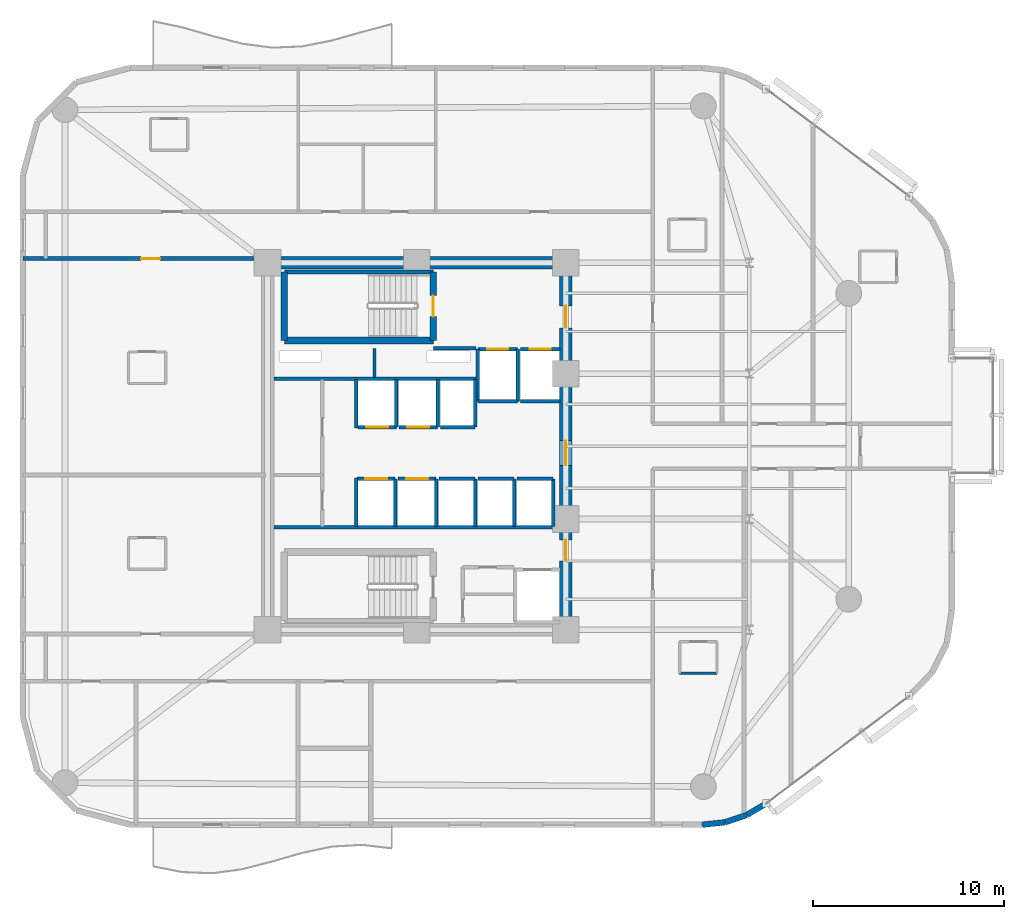
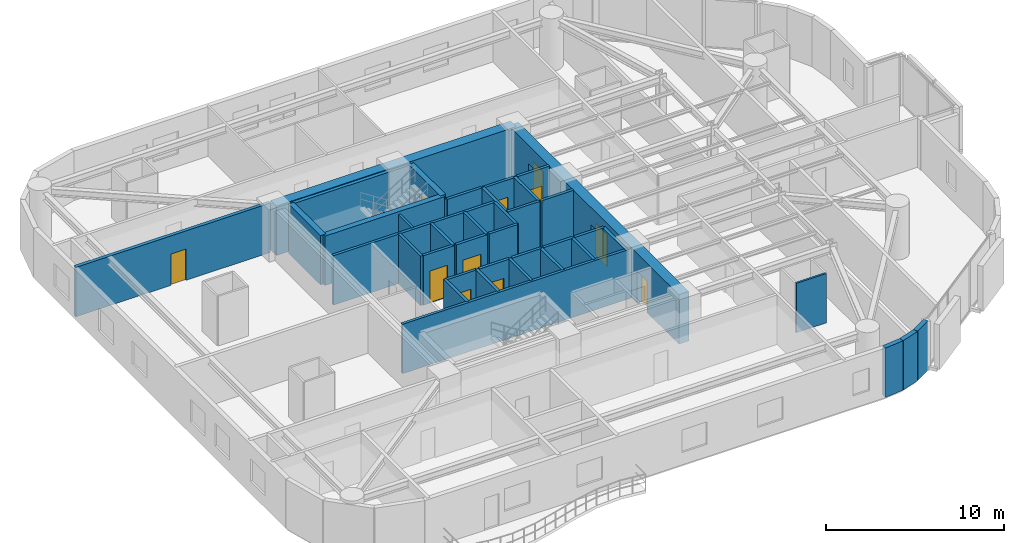
# One storey, part 9 of 14: 39 walls, 11 doors, 11 openings.
"""IFC4 building model written with IfcOpenShell, lengths in metres."""

from ifc_helpers import new_model, si_unit, direction, frame, frame_2d, origin, place, context, subcontext, project, spatial, rectangle, extrude, material, layer, layer_set, type_object, element, fill, save


model = new_model("IFC4")

# Units and contexts
model_context = context("Model", 3, precision=1e-05, world=origin(), true_north=direction((0.0, 1.0)))
body_context = subcontext(model_context, "Body", "Model", "MODEL_VIEW")
ifc_project = project(units=[si_unit("LENGTHUNIT", "METRE"), si_unit("AREAUNIT", "SQUARE_METRE"), si_unit("VOLUMEUNIT", "CUBIC_METRE"), si_unit("PLANEANGLEUNIT", "RADIAN"), si_unit("MASSUNIT", "GRAM", prefix="KILO")], contexts=[model_context])

# Site, building, storey
site_placement = place(None, origin())
site = spatial("IfcSite", under=ifc_project, at=site_placement, CompositionType="ELEMENT")
building_placement = place(site_placement, origin())
building = spatial("IfcBuilding", under=site, at=building_placement, Name="An Khanh Terracotta Commons", CompositionType="ELEMENT")
storey_placement = place(building_placement, frame((0.0, 0.0, 93.5)))
storey = spatial("IfcBuildingStorey", under=building, at=storey_placement, Name="L24", CompositionType="ELEMENT", Elevation=93.5)

# Wall
ifc_material_1 = material(Name="Concrete C60/75", Category="concrete")
ifc_layer_1 = layer(ifc_material_1, 0.64990234375, Name="Concrete C60/75")
ifc_layer_set_1 = layer_set([ifc_layer_1], Name="Concrete C60/75")
wall_type_1 = type_object("IfcWallType", Name="WALL-CORE-650", PredefinedType="SHEAR", material=ifc_layer_set_1)
wall_1_placement = place(storey_placement, frame((21.60009765625, 33.60009765625, 0.0), z_axis=(0.0, 0.0, 1.0), x_axis=(1.0, 0.0, 0.0)))
element("IfcWall", 1, at=wall_1_placement, inside=storey, type_object=wall_type_1, Name="L24 Core Wall CWALL-L24-N", PredefinedType="SHEAR", context=body_context, shape_type="SweptSolid", body=[
    extrude(rectangle(XDim=15.599853515625, YDim=0.64990234375, at=frame_2d((7.7998046875, 0.0))), origin(), (0.0, 0.0, 1.0), 3.39990234375),
])

# Wall, openings, doors
wall_2_placement = place(storey_placement, frame((37.199951171875, 14.39990234375, 0.0), z_axis=(0.0, 0.0, 1.0), x_axis=(0.0, 1.0, 0.0)))
wall_2 = element("IfcWall", 2, at=wall_2_placement, inside=storey, type_object=wall_type_1, Name="L24 Core Wall CWALL-L24-E", PredefinedType="SHEAR", context=body_context, shape_type="SweptSolid", body=[
    extrude(rectangle(XDim=19.2001953125, YDim=0.64990234375, at=frame_2d((9.60009765625, 0.0))), origin(), (0.0, 0.0, 1.0), 3.39990234375),
])
opening_1_placement = place(wall_2_placement, frame((15.800048828125, 0.0, 0.0)))
opening_1 = element("IfcOpeningElement", 3, at=opening_1_placement, cuts=wall_2, Name="Opening D-FFL", PredefinedType="OPENING", context=body_context, shape_type="SweptSolid", body=[
    extrude(rectangle(XDim=1.14990234375, YDim=2.14990234375, at=frame_2d((0.574951171875, 1.074951171875))), frame((0.0, 0.3349609375, 0.0), z_axis=(0.0, -1.0, 0.0), x_axis=(1.0, 0.0, 0.0)), (0.0, 0.0, 1.0), 0.669921875),
])
opening_2_placement = place(wall_2_placement, frame((3.60009765625, 0.0, 0.0)))
opening_2 = element("IfcOpeningElement", 4, at=opening_2_placement, cuts=wall_2, Name="Opening D-ST", PredefinedType="OPENING", context=body_context, shape_type="SweptSolid", body=[
    extrude(rectangle(XDim=1.10009765625, YDim=2.14990234375, at=frame_2d((0.550048828125, 1.074951171875))), frame((0.0, 0.3349609375, 0.0), z_axis=(0.0, -1.0, 0.0), x_axis=(1.0, 0.0, 0.0)), (0.0, 0.0, 1.0), 0.669921875),
])
opening_3_placement = place(wall_2_placement, frame((8.60009765625, 0.0, 0.0)))
opening_3 = element("IfcOpeningElement", 5, at=opening_3_placement, cuts=wall_2, Name="Opening D-COR", PredefinedType="OPENING", context=body_context, shape_type="SweptSolid", body=[
    extrude(rectangle(XDim=1.300048828125, YDim=2.199951171875, at=frame_2d((0.64990234375, 1.10009765625))), frame((0.0, 0.3349609375, 0.0), z_axis=(0.0, -1.0, 0.0), x_axis=(1.0, 0.0, 0.0)), (0.0, 0.0, 1.0), 0.669921875),
])
ifc_material_2 = material(Name="Fire-Rated Glazed Steel Double Door", Category="steel")
door_type_1 = type_object("IfcDoorType", Name="DOOR-CORR-1300", OperationType="NOTDEFINED", PredefinedType="DOOR", material=ifc_material_2)
door_1_placement = place(opening_3_placement, origin())
door_1 = element("IfcDoor", 6, at=door_1_placement, inside=storey, type_object=door_type_1, Name="L24 Passenger Lift Lobby Double Door", OperationType="DOUBLE_DOOR_SINGLE_SWING", OverallHeight=2.199951171875, OverallWidth=1.300048828125, PredefinedType="DOOR", context=body_context, shape_type="SweptSolid", body=[
    extrude(rectangle(XDim=1.300048828125, YDim=2.199951171875, at=frame_2d((0.64990234375, 1.10009765625))), frame((0.0, 0.02490234375, 0.0), z_axis=(0.0, -1.0, 0.0), x_axis=(1.0, 0.0, 0.0)), (0.0, 0.0, 1.0), 0.050048828125),
])
fill(opening_3, door_1)
ifc_material_3 = material(Name="Fire-Rated Steel Leaf and Vision Panel", Category="steel")
door_type_2 = type_object("IfcDoorType", Name="DOOR-FFL-1150", OperationType="NOTDEFINED", PredefinedType="DOOR", material=ifc_material_3)
door_2_placement = place(opening_1_placement, origin())
door_2 = element("IfcDoor", 7, at=door_2_placement, inside=storey, type_object=door_type_2, Name="L24 Firefighting Lift Lobby Fire Door", OperationType="SINGLE_SWING_LEFT", OverallHeight=2.14990234375, OverallWidth=1.14990234375, PredefinedType="DOOR", context=body_context, shape_type="SweptSolid", body=[
    extrude(rectangle(XDim=1.14990234375, YDim=2.14990234375, at=frame_2d((0.574951171875, 1.074951171875))), frame((0.0, 0.02490234375, 0.0), z_axis=(0.0, -1.0, 0.0), x_axis=(1.0, 0.0, 0.0)), (0.0, 0.0, 1.0), 0.050048828125),
])
fill(opening_1, door_2)
ifc_material_4 = material(Name="Fire-Rated Steel Leaf and Frame", Category="steel")
door_type_3 = type_object("IfcDoorType", Name="DOOR-STAIR-1100", OperationType="NOTDEFINED", PredefinedType="DOOR", material=ifc_material_4)
door_3_placement = place(opening_2_placement, origin())
door_3 = element("IfcDoor", 8, at=door_3_placement, inside=storey, type_object=door_type_3, Name="L24 South Stair Lobby Fire Door", OperationType="SINGLE_SWING_RIGHT", OverallHeight=2.14990234375, OverallWidth=1.10009765625, PredefinedType="DOOR", context=body_context, shape_type="SweptSolid", body=[
    extrude(rectangle(XDim=1.10009765625, YDim=2.14990234375, at=frame_2d((0.550048828125, 1.074951171875))), frame((0.0, 0.02490234375, 0.0), z_axis=(0.0, -1.0, 0.0), x_axis=(1.0, 0.0, 0.0)), (0.0, 0.0, 1.0), 0.050048828125),
])
fill(opening_2, door_3)

# Walls
ifc_material_5 = material(Name="Fire-Rated Gypsum Board on Steel Stud", Category="steel")
ifc_layer_2 = layer(ifc_material_5, 0.179931640625, Name="Fire-Rated Gypsum Board on Steel Stud")
ifc_layer_set_2 = layer_set([ifc_layer_2], Name="Fire-Rated Gypsum Board on Steel Stud")
wall_type_2 = type_object("IfcWallType", Name="WALL-CORR-180", PredefinedType="PARTITIONING", material=ifc_layer_set_2)
wall_3_placement = place(storey_placement, frame((30.27001953125, 29.1201171875, 0.0), z_axis=(0.0, 0.0, 1.0), x_axis=(1.0, 0.0, 0.0)))
element("IfcWall", 9, at=wall_3_placement, inside=storey, type_object=wall_type_2, Name="L24 Core Wall FFLW-L24-S", PredefinedType="PARTITIONING", context=body_context, shape_type="SweptSolid", body=[
    extrude(rectangle(XDim=2.239990234375, YDim=0.179931640625, at=frame_2d((1.1201171875, 0.0))), origin(), (0.0, 0.0, 1.0), 3.39990234375),
])
wall_4_placement = place(storey_placement, frame((21.949951171875, 27.5400390625, 0.0), z_axis=(0.0, 0.0, 1.0), x_axis=(1.0, 0.0, 0.0)))
element("IfcWall", 10, at=wall_4_placement, inside=storey, type_object=wall_type_2, Name="L24 Core Wall RSRW-L24-S", PredefinedType="PARTITIONING", context=body_context, shape_type="SweptSolid", body=[
    extrude(rectangle(XDim=10.56005859375, YDim=0.179931640625, at=frame_2d((5.280029296875, 0.0))), origin(), (0.0, 0.0, 1.0), 3.39990234375),
])
wall_5_placement = place(storey_placement, frame((21.949951171875, 19.760009765625, 0.0), z_axis=(0.0, 0.0, 1.0), x_axis=(1.0, 0.0, 0.0)))
element("IfcWall", 11, at=wall_5_placement, inside=storey, type_object=wall_type_2, Name="L24 Core Wall SVW-L24-N", PredefinedType="PARTITIONING", context=body_context, shape_type="SweptSolid", body=[
    extrude(rectangle(XDim=14.8701171875, YDim=0.179931640625, at=frame_2d((7.43505859375, 0.0))), origin(), (0.0, 0.0, 1.0), 3.39990234375),
])

# Wall, opening, door
wall_6_placement = place(storey_placement, frame((32.60009765625, 29.080078125, 0.0), z_axis=(0.0, 0.0, 1.0), x_axis=(1.0, 0.0, 0.0)))
wall_6 = element("IfcWall", 12, at=wall_6_placement, inside=storey, type_object=wall_type_2, Name="L24 Core Wall LSH-L24-FFL-01-N", PredefinedType="PARTITIONING", context=body_context, shape_type="SweptSolid", body=[
    extrude(rectangle(XDim=2.079833984375, YDim=0.179931640625, at=frame_2d((1.0400390625, 0.0))), origin(), (0.0, 0.0, 1.0), 3.39990234375),
])
opening_4_placement = place(wall_6_placement, frame((0.489990234375, 0.0, 0.0)))
opening_4 = element("IfcOpeningElement", 13, at=opening_4_placement, cuts=wall_6, Name="Opening LD-FFL-01-L24", PredefinedType="OPENING", context=body_context, shape_type="SweptSolid", body=[
    extrude(rectangle(XDim=1.10009765625, YDim=2.199951171875, at=frame_2d((0.550048828125, 1.10009765625))), frame((0.0, 0.099853515625, 0.0), z_axis=(0.0, -1.0, 0.0), x_axis=(1.0, 0.0, 0.0)), (0.0, 0.0, 1.0), 0.199951171875),
])
ifc_material_6 = material(Name="Brushed Stainless Steel Fire Landing Door", Category="steel")
door_type_4 = type_object("IfcDoorType", Name="DOOR-LD-FFL-1100", OperationType="NOTDEFINED", PredefinedType="DOOR", material=ifc_material_6)
door_4_placement = place(opening_4_placement, origin())
door_4 = element("IfcDoor", 14, at=door_4_placement, inside=storey, type_object=door_type_4, Name="L24 Lift FFL-01 Sliding Landing Door", OperationType="DOUBLE_DOOR_SLIDING", OverallHeight=2.199951171875, OverallWidth=1.10009765625, PredefinedType="DOOR", context=body_context, shape_type="SweptSolid", body=[
    extrude(rectangle(XDim=1.10009765625, YDim=2.199951171875, at=frame_2d((0.550048828125, 1.10009765625))), frame((0.0, 0.02490234375, 0.0), z_axis=(0.0, -1.0, 0.0), x_axis=(1.0, 0.0, 0.0)), (0.0, 0.0, 1.0), 0.050048828125),
])
fill(opening_4, door_4)

# Walls
wall_7_placement = place(storey_placement, frame((34.679931640625, 26.35009765625, 0.0), z_axis=(0.0, 0.0, 1.0), x_axis=(-1.0, 0.0, 0.0)))
element("IfcWall", 15, at=wall_7_placement, inside=storey, type_object=wall_type_2, Name="L24 Core Wall LSH-L24-FFL-01-S", PredefinedType="PARTITIONING", context=body_context, shape_type="SweptSolid", body=[
    extrude(rectangle(XDim=2.079833984375, YDim=0.179931640625, at=frame_2d((1.0400390625, 0.0))), origin(), (0.0, 0.0, 1.0), 3.39990234375),
])
for number, where, z_axis, x_axis, name in (
    (16, (34.679931640625, 26.35009765625, 0.0), (0.0, 0.0, 1.0), (0.0, 1.0, 0.0), "L24 Core Wall LSH-L24-FFL-01-E"),
    (17, (32.60009765625, 29.080078125, 0.0), (0.0, 0.0, 1.0), (0.0, -1.0, 0.0), "L24 Core Wall LSH-L24-FFL-01-W"),
):
    element("IfcWall", number, at=place(storey_placement, frame(where, z_axis=z_axis, x_axis=x_axis)), inside=storey, type_object=wall_type_2, Name=name, PredefinedType="PARTITIONING", context=body_context, shape_type="SweptSolid", body=[
        extrude(rectangle(XDim=2.72998046875, YDim=0.179931640625, at=frame_2d((1.364990234375, 0.0))), origin(), (0.0, 0.0, 1.0), 3.39990234375),
    ])

# Wall, opening, door
wall_8_placement = place(storey_placement, frame((34.820068359375, 29.080078125, 0.0), z_axis=(0.0, 0.0, 1.0), x_axis=(1.0, 0.0, 0.0)))
wall_8 = element("IfcWall", 18, at=wall_8_placement, inside=storey, type_object=wall_type_2, Name="L24 Core Wall LSH-L24-FFL-02-N", PredefinedType="PARTITIONING", context=body_context, shape_type="SweptSolid", body=[
    extrude(rectangle(XDim=2.079833984375, YDim=0.179931640625, at=frame_2d((1.0400390625, 0.0))), origin(), (0.0, 0.0, 1.0), 3.39990234375),
])
opening_5_placement = place(wall_8_placement, frame((0.489990234375, 0.0, 0.0)))
opening_5 = element("IfcOpeningElement", 19, at=opening_5_placement, cuts=wall_8, Name="Opening LD-FFL-02-L24", PredefinedType="OPENING", context=body_context, shape_type="SweptSolid", body=[
    extrude(rectangle(XDim=1.10009765625, YDim=2.199951171875, at=frame_2d((0.550048828125, 1.10009765625))), frame((0.0, 0.099853515625, 0.0), z_axis=(0.0, -1.0, 0.0), x_axis=(1.0, 0.0, 0.0)), (0.0, 0.0, 1.0), 0.199951171875),
])
door_5_placement = place(opening_5_placement, origin())
door_5 = element("IfcDoor", 20, at=door_5_placement, inside=storey, type_object=door_type_4, Name="L24 Lift FFL-02 Sliding Landing Door", OperationType="DOUBLE_DOOR_SLIDING", OverallHeight=2.199951171875, OverallWidth=1.10009765625, PredefinedType="DOOR", context=body_context, shape_type="SweptSolid", body=[
    extrude(rectangle(XDim=1.10009765625, YDim=2.199951171875, at=frame_2d((0.550048828125, 1.10009765625))), frame((0.0, 0.02490234375, 0.0), z_axis=(0.0, -1.0, 0.0), x_axis=(1.0, 0.0, 0.0)), (0.0, 0.0, 1.0), 0.050048828125),
])
fill(opening_5, door_5)

# Wall
wall_9_placement = place(storey_placement, frame((36.89990234375, 26.35009765625, 0.0), z_axis=(0.0, 0.0, 1.0), x_axis=(-1.0, 0.0, 0.0)))
element("IfcWall", 21, at=wall_9_placement, inside=storey, type_object=wall_type_2, Name="L24 Core Wall LSH-L24-FFL-02-S", PredefinedType="PARTITIONING", context=body_context, shape_type="SweptSolid", body=[
    extrude(rectangle(XDim=2.079833984375, YDim=0.179931640625, at=frame_2d((1.0400390625, 0.0))), origin(), (0.0, 0.0, 1.0), 3.39990234375),
])

# Wall, opening, door
wall_10_placement = place(storey_placement, frame((28.340087890625, 25.0, 0.0), z_axis=(0.0, 0.0, 1.0), x_axis=(-1.0, 0.0, 0.0)))
wall_10 = element("IfcWall", 22, at=wall_10_placement, inside=storey, type_object=wall_type_2, Name="L24 Core Wall LSH-L24-PL-M1-S", PredefinedType="PARTITIONING", context=body_context, shape_type="SweptSolid", body=[
    extrude(rectangle(XDim=2.02001953125, YDim=0.179931640625, at=frame_2d((1.010009765625, 0.0))), origin(), (0.0, 0.0, 1.0), 3.39990234375),
])
opening_6_placement = place(wall_10_placement, frame((0.43505859375, 0.0, 0.0)))
opening_6 = element("IfcOpeningElement", 23, at=opening_6_placement, cuts=wall_10, Name="Opening LD-PL-M1-L24", PredefinedType="OPENING", context=body_context, shape_type="SweptSolid", body=[
    extrude(rectangle(XDim=1.14990234375, YDim=2.199951171875, at=frame_2d((0.574951171875, 1.10009765625))), frame((0.0, 0.099853515625, 0.0), z_axis=(0.0, -1.0, 0.0), x_axis=(1.0, 0.0, 0.0)), (0.0, 0.0, 1.0), 0.199951171875),
])
ifc_material_7 = material(Name="Brushed Stainless Steel Passenger Landing Door", Category="steel")
door_type_5 = type_object("IfcDoorType", Name="DOOR-LD-PAX-1150", OperationType="NOTDEFINED", PredefinedType="DOOR", material=ifc_material_7)
door_6_placement = place(opening_6_placement, origin())
door_6 = element("IfcDoor", 24, at=door_6_placement, inside=storey, type_object=door_type_5, Name="L24 Lift PL-M1 Sliding Landing Door", OperationType="DOUBLE_DOOR_SLIDING", OverallHeight=2.199951171875, OverallWidth=1.14990234375, PredefinedType="DOOR", context=body_context, shape_type="SweptSolid", body=[
    extrude(rectangle(XDim=1.14990234375, YDim=2.199951171875, at=frame_2d((0.574951171875, 1.10009765625))), frame((0.0, 0.02490234375, 0.0), z_axis=(0.0, -1.0, 0.0), x_axis=(1.0, 0.0, 0.0)), (0.0, 0.0, 1.0), 0.050048828125),
])
fill(opening_6, door_6)

# Wall
wall_11_placement = place(storey_placement, frame((28.340087890625, 25.0, 0.0), z_axis=(0.0, 0.0, 1.0), x_axis=(0.0, 1.0, 0.0)))
element("IfcWall", 25, at=wall_11_placement, inside=storey, type_object=wall_type_2, Name="L24 Core Wall LSH-L24-PL-M1-E", PredefinedType="PARTITIONING", context=body_context, shape_type="SweptSolid", body=[
    extrude(rectangle(XDim=2.5, YDim=0.179931640625, at=frame_2d((1.25, 0.0))), origin(), (0.0, 0.0, 1.0), 3.39990234375),
])

# Wall, opening, door
wall_12_placement = place(storey_placement, frame((30.5, 25.0, 0.0), z_axis=(0.0, 0.0, 1.0), x_axis=(-1.0, 0.0, 0.0)))
wall_12 = element("IfcWall", 26, at=wall_12_placement, inside=storey, type_object=wall_type_2, Name="L24 Core Wall LSH-L24-PL-M2-S", PredefinedType="PARTITIONING", context=body_context, shape_type="SweptSolid", body=[
    extrude(rectangle(XDim=2.02001953125, YDim=0.179931640625, at=frame_2d((1.010009765625, 0.0))), origin(), (0.0, 0.0, 1.0), 3.39990234375),
])
opening_7_placement = place(wall_12_placement, frame((0.43505859375, 0.0, 0.0)))
opening_7 = element("IfcOpeningElement", 27, at=opening_7_placement, cuts=wall_12, Name="Opening LD-PL-M2-L24", PredefinedType="OPENING", context=body_context, shape_type="SweptSolid", body=[
    extrude(rectangle(XDim=1.14990234375, YDim=2.199951171875, at=frame_2d((0.574951171875, 1.10009765625))), frame((0.0, 0.099853515625, 0.0), z_axis=(0.0, -1.0, 0.0), x_axis=(1.0, 0.0, 0.0)), (0.0, 0.0, 1.0), 0.199951171875),
])
door_7_placement = place(opening_7_placement, origin())
door_7 = element("IfcDoor", 28, at=door_7_placement, inside=storey, type_object=door_type_5, Name="L24 Lift PL-M2 Sliding Landing Door", OperationType="DOUBLE_DOOR_SLIDING", OverallHeight=2.199951171875, OverallWidth=1.14990234375, PredefinedType="DOOR", context=body_context, shape_type="SweptSolid", body=[
    extrude(rectangle(XDim=1.14990234375, YDim=2.199951171875, at=frame_2d((0.574951171875, 1.10009765625))), frame((0.0, 0.02490234375, 0.0), z_axis=(0.0, -1.0, 0.0), x_axis=(1.0, 0.0, 0.0)), (0.0, 0.0, 1.0), 0.050048828125),
])
fill(opening_7, door_7)

# Wall
wall_13_placement = place(storey_placement, frame((30.5, 25.0, 0.0), z_axis=(0.0, 0.0, 1.0), x_axis=(0.0, 1.0, 0.0)))
element("IfcWall", 29, at=wall_13_placement, inside=storey, type_object=wall_type_2, Name="L24 Core Wall LSH-L24-PL-M2-E", PredefinedType="PARTITIONING", context=body_context, shape_type="SweptSolid", body=[
    extrude(rectangle(XDim=2.5, YDim=0.179931640625, at=frame_2d((1.25, 0.0))), origin(), (0.0, 0.0, 1.0), 3.39990234375),
])

# Wall, opening, door
wall_14_placement = place(storey_placement, frame((26.280029296875, 22.300048828125, 0.0), z_axis=(0.0, 0.0, 1.0), x_axis=(1.0, 0.0, 0.0)))
wall_14 = element("IfcWall", 30, at=wall_14_placement, inside=storey, type_object=wall_type_2, Name="L24 Core Wall LSH-L24-PL-M3-N", PredefinedType="PARTITIONING", context=body_context, shape_type="SweptSolid", body=[
    extrude(rectangle(XDim=2.0, YDim=0.179931640625, at=frame_2d((1.0, 0.0))), origin(), (0.0, 0.0, 1.0), 3.39990234375),
])
opening_8_placement = place(wall_14_placement, frame((0.425048828125, 0.0, 0.0)))
opening_8 = element("IfcOpeningElement", 31, at=opening_8_placement, cuts=wall_14, Name="Opening LD-PL-M3-L24", PredefinedType="OPENING", context=body_context, shape_type="SweptSolid", body=[
    extrude(rectangle(XDim=1.14990234375, YDim=2.199951171875, at=frame_2d((0.574951171875, 1.10009765625))), frame((0.0, 0.099853515625, 0.0), z_axis=(0.0, -1.0, 0.0), x_axis=(1.0, 0.0, 0.0)), (0.0, 0.0, 1.0), 0.199951171875),
])
door_8_placement = place(opening_8_placement, origin())
door_8 = element("IfcDoor", 32, at=door_8_placement, inside=storey, type_object=door_type_5, Name="L24 Lift PL-M3 Sliding Landing Door", OperationType="DOUBLE_DOOR_SLIDING", OverallHeight=2.199951171875, OverallWidth=1.14990234375, PredefinedType="DOOR", context=body_context, shape_type="SweptSolid", body=[
    extrude(rectangle(XDim=1.14990234375, YDim=2.199951171875, at=frame_2d((0.574951171875, 1.10009765625))), frame((0.0, 0.02490234375, 0.0), z_axis=(0.0, -1.0, 0.0), x_axis=(1.0, 0.0, 0.0)), (0.0, 0.0, 1.0), 0.050048828125),
])
fill(opening_8, door_8)

# Wall
wall_15_placement = place(storey_placement, frame((28.280029296875, 19.800048828125, 0.0), z_axis=(0.0, 0.0, 1.0), x_axis=(0.0, 1.0, 0.0)))
element("IfcWall", 33, at=wall_15_placement, inside=storey, type_object=wall_type_2, Name="L24 Core Wall LSH-L24-PL-M3-E", PredefinedType="PARTITIONING", context=body_context, shape_type="SweptSolid", body=[
    extrude(rectangle(XDim=2.5, YDim=0.179931640625, at=frame_2d((1.25, 0.0))), origin(), (0.0, 0.0, 1.0), 3.39990234375),
])

# Wall, opening, door
wall_16_placement = place(storey_placement, frame((28.419921875, 22.300048828125, 0.0), z_axis=(0.0, 0.0, 1.0), x_axis=(1.0, 0.0, 0.0)))
wall_16 = element("IfcWall", 34, at=wall_16_placement, inside=storey, type_object=wall_type_2, Name="L24 Core Wall LSH-L24-PL-M4-N", PredefinedType="PARTITIONING", context=body_context, shape_type="SweptSolid", body=[
    extrude(rectangle(XDim=2.0, YDim=0.179931640625, at=frame_2d((1.0, 0.0))), origin(), (0.0, 0.0, 1.0), 3.39990234375),
])
opening_9_placement = place(wall_16_placement, frame((0.425048828125, 0.0, 0.0)))
opening_9 = element("IfcOpeningElement", 35, at=opening_9_placement, cuts=wall_16, Name="Opening LD-PL-M4-L24", PredefinedType="OPENING", context=body_context, shape_type="SweptSolid", body=[
    extrude(rectangle(XDim=1.14990234375, YDim=2.199951171875, at=frame_2d((0.574951171875, 1.10009765625))), frame((0.0, 0.099853515625, 0.0), z_axis=(0.0, -1.0, 0.0), x_axis=(1.0, 0.0, 0.0)), (0.0, 0.0, 1.0), 0.199951171875),
])
door_9_placement = place(opening_9_placement, origin())
door_9 = element("IfcDoor", 36, at=door_9_placement, inside=storey, type_object=door_type_5, Name="L24 Lift PL-M4 Sliding Landing Door", OperationType="DOUBLE_DOOR_SLIDING", OverallHeight=2.199951171875, OverallWidth=1.14990234375, PredefinedType="DOOR", context=body_context, shape_type="SweptSolid", body=[
    extrude(rectangle(XDim=1.14990234375, YDim=2.199951171875, at=frame_2d((0.574951171875, 1.10009765625))), frame((0.0, 0.02490234375, 0.0), z_axis=(0.0, -1.0, 0.0), x_axis=(1.0, 0.0, 0.0)), (0.0, 0.0, 1.0), 0.050048828125),
])
fill(opening_9, door_9)

# Walls
wall_17_placement = place(storey_placement, frame((30.419921875, 19.800048828125, 0.0), z_axis=(0.0, 0.0, 1.0), x_axis=(0.0, 1.0, 0.0)))
element("IfcWall", 37, at=wall_17_placement, inside=storey, type_object=wall_type_2, Name="L24 Core Wall LSH-L24-PL-M4-E", PredefinedType="PARTITIONING", context=body_context, shape_type="SweptSolid", body=[
    extrude(rectangle(XDim=2.5, YDim=0.179931640625, at=frame_2d((1.25, 0.0))), origin(), (0.0, 0.0, 1.0), 3.39990234375),
])
wall_18_placement = place(storey_placement, frame((32.4599609375, 25.0, 0.0), z_axis=(0.0, 0.0, 1.0), x_axis=(-1.0, 0.0, 0.0)))
element("IfcWall", 38, at=wall_18_placement, inside=storey, type_object=wall_type_2, Name="L24 Core Wall LSH-L24-PL-H1-S", PredefinedType="PARTITIONING", context=body_context, shape_type="SweptSolid", body=[
    extrude(rectangle(XDim=1.820068359375, YDim=0.179931640625, at=frame_2d((0.91015625, 0.0))), origin(), (0.0, 0.0, 1.0), 3.39990234375),
])
wall_19_placement = place(storey_placement, frame((32.4599609375, 25.0, 0.0), z_axis=(0.0, 0.0, 1.0), x_axis=(0.0, 1.0, 0.0)))
element("IfcWall", 39, at=wall_19_placement, inside=storey, type_object=wall_type_2, Name="L24 Core Wall LSH-L24-PL-H1-E", PredefinedType="PARTITIONING", context=body_context, shape_type="SweptSolid", body=[
    extrude(rectangle(XDim=2.5, YDim=0.179931640625, at=frame_2d((1.25, 0.0))), origin(), (0.0, 0.0, 1.0), 3.39990234375),
])
wall_20_placement = place(storey_placement, frame((30.56005859375, 22.300048828125, 0.0), z_axis=(0.0, 0.0, 1.0), x_axis=(1.0, 0.0, 0.0)))
element("IfcWall", 40, at=wall_20_placement, inside=storey, type_object=wall_type_2, Name="L24 Core Wall LSH-L24-PL-H2-N", PredefinedType="PARTITIONING", context=body_context, shape_type="SweptSolid", body=[
    extrude(rectangle(XDim=1.89990234375, YDim=0.179931640625, at=frame_2d((0.949951171875, 0.0))), origin(), (0.0, 0.0, 1.0), 3.39990234375),
])
wall_21_placement = place(storey_placement, frame((32.4599609375, 19.800048828125, 0.0), z_axis=(0.0, 0.0, 1.0), x_axis=(0.0, 1.0, 0.0)))
element("IfcWall", 41, at=wall_21_placement, inside=storey, type_object=wall_type_2, Name="L24 Core Wall LSH-L24-PL-H2-E", PredefinedType="PARTITIONING", context=body_context, shape_type="SweptSolid", body=[
    extrude(rectangle(XDim=2.5, YDim=0.179931640625, at=frame_2d((1.25, 0.0))), origin(), (0.0, 0.0, 1.0), 3.39990234375),
])
wall_22_placement = place(storey_placement, frame((32.60009765625, 22.300048828125, 0.0), z_axis=(0.0, 0.0, 1.0), x_axis=(1.0, 0.0, 0.0)))
element("IfcWall", 42, at=wall_22_placement, inside=storey, type_object=wall_type_2, Name="L24 Core Wall LSH-L24-PL-H3-N", PredefinedType="PARTITIONING", context=body_context, shape_type="SweptSolid", body=[
    extrude(rectangle(XDim=1.89990234375, YDim=0.179931640625, at=frame_2d((0.949951171875, 0.0))), origin(), (0.0, 0.0, 1.0), 3.39990234375),
])
wall_23_placement = place(storey_placement, frame((34.5, 19.800048828125, 0.0), z_axis=(0.0, 0.0, 1.0), x_axis=(0.0, 1.0, 0.0)))
element("IfcWall", 43, at=wall_23_placement, inside=storey, type_object=wall_type_2, Name="L24 Core Wall LSH-L24-PL-H3-E", PredefinedType="PARTITIONING", context=body_context, shape_type="SweptSolid", body=[
    extrude(rectangle(XDim=2.5, YDim=0.179931640625, at=frame_2d((1.25, 0.0))), origin(), (0.0, 0.0, 1.0), 3.39990234375),
])
wall_24_placement = place(storey_placement, frame((34.639892578125, 22.300048828125, 0.0), z_axis=(0.0, 0.0, 1.0), x_axis=(1.0, 0.0, 0.0)))
element("IfcWall", 44, at=wall_24_placement, inside=storey, type_object=wall_type_2, Name="L24 Core Wall LSH-L24-PL-H4-N", PredefinedType="PARTITIONING", context=body_context, shape_type="SweptSolid", body=[
    extrude(rectangle(XDim=1.900146484375, YDim=0.179931640625, at=frame_2d((0.9501953125, 0.0))), origin(), (0.0, 0.0, 1.0), 3.39990234375),
])
wall_25_placement = place(storey_placement, frame((36.5400390625, 19.800048828125, 0.0), z_axis=(0.0, 0.0, 1.0), x_axis=(0.0, 1.0, 0.0)))
element("IfcWall", 45, at=wall_25_placement, inside=storey, type_object=wall_type_2, Name="L24 Core Wall LSH-L24-PL-H4-E", PredefinedType="PARTITIONING", context=body_context, shape_type="SweptSolid", body=[
    extrude(rectangle(XDim=2.5, YDim=0.179931640625, at=frame_2d((1.25, 0.0))), origin(), (0.0, 0.0, 1.0), 3.39990234375),
])
for number, where, z_axis, x_axis, name in (
    (46, (26.25, 24.949951171875, 0.0), (0.0, 0.0, 1.0), (0.0, 1.0, 0.0), "L24 Core Wall RECW-L24-BE1"),
    (47, (26.25, 19.800048828125, 0.0), (0.0, 0.0, 1.0), (0.0, 1.0, 0.0), "L24 Core Wall RECW-L24-BE2"),
):
    element("IfcWall", number, at=place(storey_placement, frame(where, z_axis=z_axis, x_axis=x_axis)), inside=storey, type_object=wall_type_2, Name=name, PredefinedType="PARTITIONING", context=body_context, shape_type="SweptSolid", body=[
        extrude(rectangle(XDim=2.550048828125, YDim=0.179931640625, at=frame_2d((1.27490234375, 0.0))), origin(), (0.0, 0.0, 1.0), 3.39990234375),
    ])
ifc_material_8 = material(Name="Precast concrete C40/50", Category="concrete")
ifc_layer_3 = layer(ifc_material_8, 0.300048828125, Name="Precast concrete C40/50")
ifc_layer_set_3 = layer_set([ifc_layer_3], Name="Precast concrete C40/50")
wall_type_3 = type_object("IfcWallType", Name="WALL-EXT-300", PredefinedType="SOLIDWALL", material=ifc_layer_set_3)
wall_26_placement = place(storey_placement, frame((44.3330078125, 4.199951171875, 0.0), z_axis=(0.0, 0.0, 1.0), x_axis=(0.994289103787, 0.106720092254, 0.0)))
element("IfcWall", 48, at=wall_26_placement, inside=storey, type_object=wall_type_3, Name="L24 Insulated Terracotta Exterior Wall 5", PredefinedType="SOLIDWALL", context=body_context, shape_type="SweptSolid", body=[
    extrude(rectangle(XDim=1.19873046875, YDim=0.300048828125, at=frame_2d((0.599365234375, 0.0))), origin(), (0.0, 0.0, 1.0), 3.39990234375),
])
wall_27_placement = place(storey_placement, frame((45.52490234375, 4.327880859375, 0.0), z_axis=(0.0, 0.0, 1.0), x_axis=(0.948744332129, 0.316044604847, 0.0)))
element("IfcWall", 49, at=wall_27_placement, inside=storey, type_object=wall_type_3, Name="L24 Insulated Terracotta Exterior Wall 6", PredefinedType="SOLIDWALL", context=body_context, shape_type="SweptSolid", body=[
    extrude(rectangle(XDim=1.19970703125, YDim=0.300048828125, at=frame_2d((0.599853515625, 0.0))), origin(), (0.0, 0.0, 1.0), 3.39990234375),
])
wall_28_placement = place(storey_placement, frame((46.6630859375, 4.70703125, 0.0), z_axis=(0.0, 0.0, 1.0), x_axis=(0.859320591642, 0.511437308749, 0.0)))
element("IfcWall", 50, at=wall_28_placement, inside=storey, type_object=wall_type_3, Name="L24 Insulated Terracotta Exterior Wall 7", PredefinedType="SOLIDWALL", context=body_context, shape_type="SweptSolid", body=[
    extrude(rectangle(XDim=1.19873046875, YDim=0.300048828125, at=frame_2d((0.599365234375, 0.0))), origin(), (0.0, 0.0, 1.0), 3.39990234375),
])
ifc_material_9 = material(Name="Acoustic Gypsum Board Partition")
ifc_layer_4 = layer(ifc_material_9, 0.14990234375, Name="Acoustic Gypsum Board Partition")
ifc_layer_set_4 = layer_set([ifc_layer_4], Name="Acoustic Gypsum Board Partition")
wall_type_4 = type_object("IfcWallType", Name="WALL-PART-150", PredefinedType="PARTITIONING", material=ifc_layer_set_4)
wall_29_placement = place(storey_placement, frame((27.199951171875, 27.60009765625, 0.0), z_axis=(0.0, 0.0, 1.0), x_axis=(0.0, 1.0, 0.0)))
element("IfcWall", 51, at=wall_29_placement, inside=storey, type_object=wall_type_4, Name="L24 Core Wall RSRW-L24-D1", PredefinedType="PARTITIONING", context=body_context, shape_type="SweptSolid", body=[
    extrude(rectangle(XDim=1.52001953125, YDim=0.14990234375, at=frame_2d((0.760009765625, 0.0))), origin(), (0.0, 0.0, 1.0), 3.39990234375),
])
ifc_material_10 = material(Name="Acoustic Double-Stud Gypsum and Mineral Wool")
ifc_layer_5 = layer(ifc_material_10, 0.219970703125, Name="Acoustic Double-Stud Gypsum and Mineral Wool")
ifc_layer_set_5 = layer_set([ifc_layer_5], Name="Acoustic Double-Stud Gypsum and Mineral Wool")
wall_type_5 = type_object("IfcWallType", Name="WALL-PARTY-220", PredefinedType="PARTITIONING", material=ifc_layer_set_5)
wall_30_placement = place(storey_placement, frame((22.47998046875, 33.110107421875, 0.0), z_axis=(0.0, 0.0, 1.0), x_axis=(1.0, 0.0, 0.0)))
element("IfcWall", 52, at=wall_30_placement, inside=storey, type_object=wall_type_5, Name="L24 Core Wall STW-L24-N-N", PredefinedType="PARTITIONING", context=body_context, shape_type="SweptSolid", body=[
    extrude(rectangle(XDim=7.7900390625, YDim=0.219970703125, at=frame_2d((3.89501953125, 0.0))), origin(), (0.0, 0.0, 1.0), 3.39990234375),
])

# Wall, opening, door
wall_31_placement = place(storey_placement, frame((8.800048828125, 33.820068359375, 0.0), z_axis=(0.0, 0.0, 1.0), x_axis=(1.0, 0.0, 0.0)))
wall_31 = element("IfcWall", 53, at=wall_31_placement, inside=storey, type_object=wall_type_5, Name="L24 Interior Partition IW-L24-E007", PredefinedType="PARTITIONING", context=body_context, shape_type="SweptSolid", body=[
    extrude(rectangle(XDim=12.679931640625, YDim=0.219970703125, at=frame_2d((6.33984375, 0.0))), origin(), (0.0, 0.0, 1.0), 3.39990234375),
])
opening_10_placement = place(wall_31_placement, frame((6.179931640625, 0.0, 0.0)))
opening_10 = element("IfcOpeningElement", 54, at=opening_10_placement, cuts=wall_31, Name="Opening D-UN", PredefinedType="OPENING", context=body_context, shape_type="SweptSolid", body=[
    extrude(rectangle(XDim=1.0, YDim=2.14990234375, at=frame_2d((0.5, 1.074951171875))), frame((0.0, 0.119873046875, 0.0), z_axis=(0.0, -1.0, 0.0), x_axis=(1.0, 0.0, 0.0)), (0.0, 0.0, 1.0), 0.239990234375),
])
ifc_material_11 = material(Name="Solid-Core Hardwood Acoustic Fire Door", Category="wood")
door_type_6 = type_object("IfcDoorType", Name="DOOR-UNIT-1000", OperationType="NOTDEFINED", PredefinedType="DOOR", material=ifc_material_11)
door_10_placement = place(opening_10_placement, origin())
door_10 = element("IfcDoor", 55, at=door_10_placement, inside=storey, type_object=door_type_6, Name="L24 WW2 Kitchenette and Studio Apartment Door", OperationType="SINGLE_SWING_LEFT", OverallHeight=2.14990234375, OverallWidth=1.0, PredefinedType="DOOR", context=body_context, shape_type="SweptSolid", body=[
    extrude(rectangle(XDim=1.0, YDim=2.14990234375, at=frame_2d((0.5, 1.074951171875))), frame((0.0, 0.02490234375, 0.0), z_axis=(0.0, -1.0, 0.0), x_axis=(1.0, 0.0, 0.0)), (0.0, 0.0, 1.0), 0.050048828125),
])
fill(opening_10, door_10)

# Walls
ifc_material_12 = material(Name="Concrete C50/60", Category="concrete")
ifc_layer_6 = layer(ifc_material_12, 0.35009765625, Name="Concrete C50/60")
ifc_layer_set_6 = layer_set([ifc_layer_6], Name="Concrete C50/60")
wall_type_6 = type_object("IfcWallType", Name="WALL-SHAFT-350", PredefinedType="SOLIDWALL", material=ifc_layer_set_6)
wall_32_placement = place(storey_placement, frame((22.47998046875, 29.530029296875, 0.0), z_axis=(0.0, 0.0, 1.0), x_axis=(1.0, 0.0, 0.0)))
element("IfcWall", 56, at=wall_32_placement, inside=storey, type_object=wall_type_6, Name="L24 Core Wall STW-L24-N-S", PredefinedType="SOLIDWALL", context=body_context, shape_type="SweptSolid", body=[
    extrude(rectangle(XDim=7.7900390625, YDim=0.35009765625, at=frame_2d((3.89501953125, 0.0))), origin(), (0.0, 0.0, 1.0), 3.39990234375),
])
wall_33_placement = place(storey_placement, frame((22.47998046875, 29.530029296875, 0.0), z_axis=(0.0, 0.0, 1.0), x_axis=(0.0, 1.0, 0.0)))
element("IfcWall", 57, at=wall_33_placement, inside=storey, type_object=wall_type_6, Name="L24 Core Wall STW-L24-N-W", PredefinedType="SOLIDWALL", context=body_context, shape_type="SweptSolid", body=[
    extrude(rectangle(XDim=3.580078125, YDim=0.35009765625, at=frame_2d((1.7900390625, 0.0))), origin(), (0.0, 0.0, 1.0), 3.39990234375),
])

# Wall, opening, door
wall_34_placement = place(storey_placement, frame((30.27001953125, 29.530029296875, 0.0), z_axis=(0.0, 0.0, 1.0), x_axis=(0.0, 1.0, 0.0)))
wall_34 = element("IfcWall", 58, at=wall_34_placement, inside=storey, type_object=wall_type_6, Name="L24 Core Wall STW-L24-N-E", PredefinedType="SOLIDWALL", context=body_context, shape_type="SweptSolid", body=[
    extrude(rectangle(XDim=3.580078125, YDim=0.35009765625, at=frame_2d((1.7900390625, 0.0))), origin(), (0.0, 0.0, 1.0), 3.39990234375),
])
opening_11_placement = place(wall_34_placement, frame((1.25, 0.0, 0.0)))
opening_11 = element("IfcOpeningElement", 59, at=opening_11_placement, cuts=wall_34, Name="Opening D-ST", PredefinedType="OPENING", context=body_context, shape_type="SweptSolid", body=[
    extrude(rectangle(XDim=1.10009765625, YDim=2.14990234375, at=frame_2d((0.550048828125, 1.074951171875))), frame((0.0, 0.18505859375, 0.0), z_axis=(0.0, -1.0, 0.0), x_axis=(1.0, 0.0, 0.0)), (0.0, 0.0, 1.0), 0.3701171875),
])
door_11_placement = place(opening_11_placement, origin())
door_11 = element("IfcDoor", 60, at=door_11_placement, inside=storey, type_object=door_type_3, Name="L24 Stair ST-01 Fire Door", OperationType="SINGLE_SWING_LEFT", OverallHeight=2.14990234375, OverallWidth=1.10009765625, PredefinedType="DOOR", context=body_context, shape_type="SweptSolid", body=[
    extrude(rectangle(XDim=1.10009765625, YDim=2.14990234375, at=frame_2d((0.550048828125, 1.074951171875))), frame((0.0, 0.02490234375, 0.0), z_axis=(0.0, -1.0, 0.0), x_axis=(1.0, 0.0, 0.0)), (0.0, 0.0, 1.0), 0.050048828125),
])
fill(opening_11, door_11)

# Wall
ifc_material_13 = material(Name="Moisture-Resistant Cement Board Partition")
ifc_layer_7 = layer(ifc_material_13, 0.1201171875, Name="Moisture-Resistant Cement Board Partition")
ifc_layer_set_7 = layer_set([ifc_layer_7], Name="Moisture-Resistant Cement Board Partition")
wall_type_7 = type_object("IfcWallType", Name="WALL-WET-120", PredefinedType="PARTITIONING", material=ifc_layer_set_7)
wall_35_placement = place(storey_placement, frame((45.112060546875, 12.125, 0.0), z_axis=(0.0, 0.0, 1.0), x_axis=(-1.0, 0.0, 0.0)))
element("IfcWall", 61, at=wall_35_placement, inside=storey, type_object=wall_type_7, Name="L24 Interior Partition IW-L24-SB1-BS", PredefinedType="PARTITIONING", context=body_context, shape_type="SweptSolid", body=[
    extrude(rectangle(XDim=1.949951171875, YDim=0.1201171875, at=frame_2d((0.97509765625, 0.0))), origin(), (0.0, 0.0, 1.0), 3.39990234375),
])

save(model, "model.ifc")
